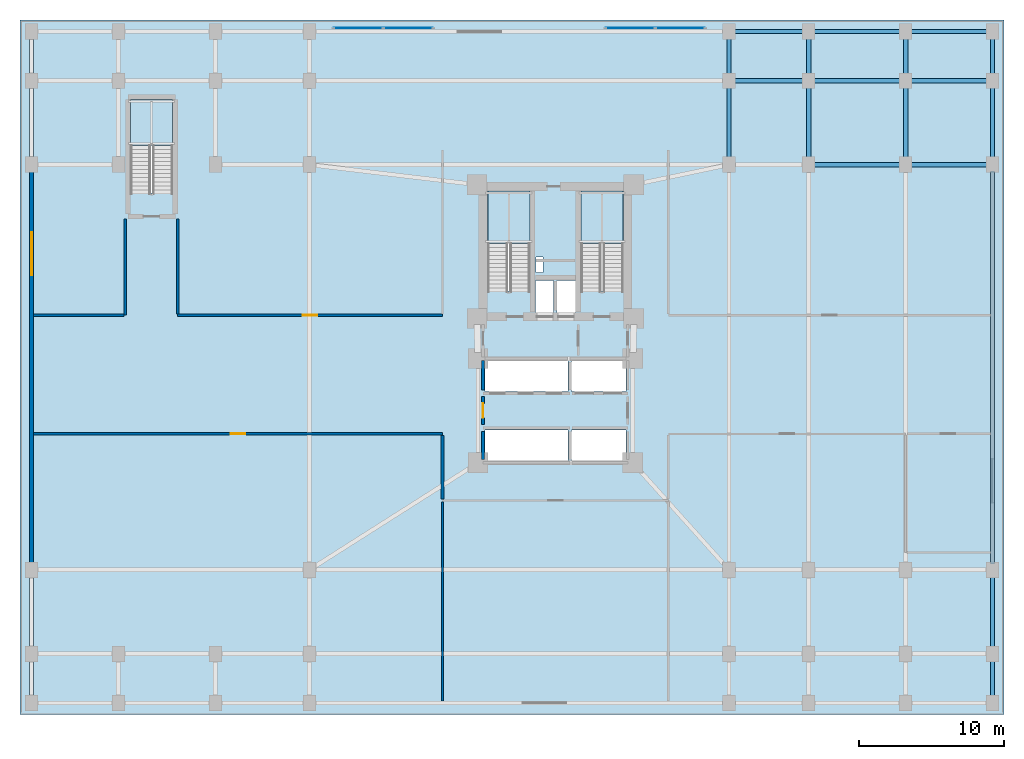
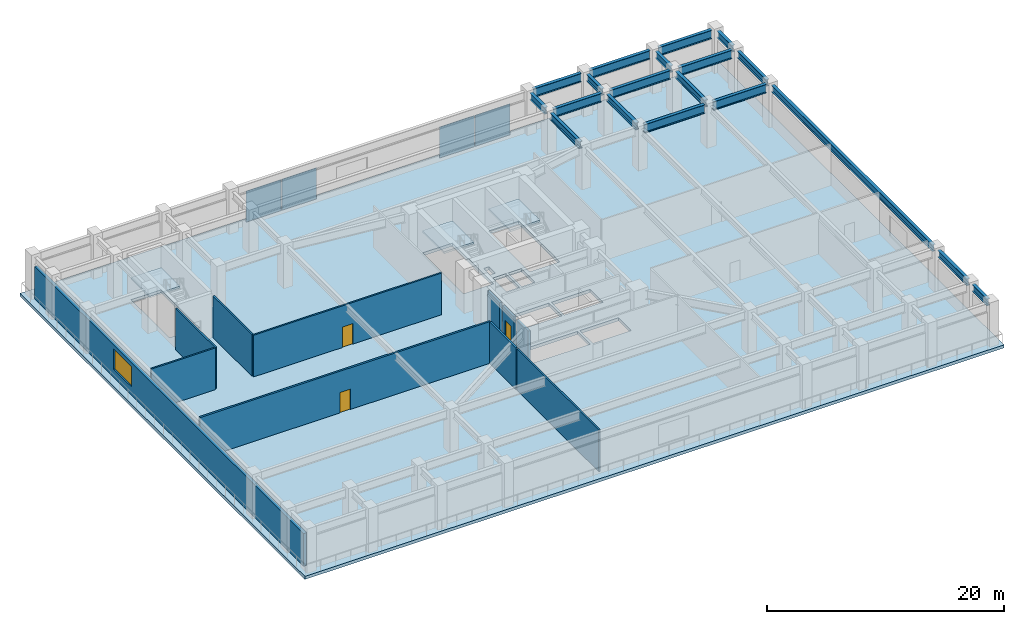
# One storey, part 6 of 12: 19 beams, 11 walls, 4 plates, 4 slabs, 3 doors, 1 window, 4 openings, 5 elements without a shape of their own.
"""IFC4 building model written with IfcOpenShell, lengths in metres."""

import ifcopenshell
import ifcopenshell.guid

model = None  # the IFC model being written
_history = None  # IfcOwnerHistory: only IFC2X3 demands one
_inside = {}  # id of a spatial element -> (the spatial element, [elements in it])
_under = {}  # id of a project, library or spatial element -> (it, [spatial elements below it])
_declared = {}  # id of a project -> (the project, [libraries it declares])
_typed = {}  # id of a type object -> (the type object, [elements of that type])
_made_of = {}  # id of a material, layer set ... -> (it, [elements and type objects made of it])


def new_model(schema):
    """Start an empty IFC model of exactly this schema.

    Asked for "IFC4X3", IfcOpenShell would pick the latest addendum, in which some entities
    have other attributes; the version numbers below select the first issue.
    IFC2X3 requires an IfcOwnerHistory on every rooted entity: one is made here for all.
    """
    global model, _history
    if schema == "IFC4X3":
        model = ifcopenshell.file(schema_version=(4, 3, 0, 0))
    else:
        model = ifcopenshell.file(schema=schema)
    _inside.clear()
    _under.clear()
    _declared.clear()
    _typed.clear()
    _made_of.clear()
    _history = None
    if model.schema == "IFC2X3":
        org = make("IfcOrganization", Name="unknown")
        user = make(
            "IfcPersonAndOrganization",
            ThePerson=make("IfcPerson", FamilyName="unknown"),
            TheOrganization=org,
        )
        app = make(
            "IfcApplication",
            ApplicationDeveloper=org,
            Version="unknown",
            ApplicationFullName="unknown",
            ApplicationIdentifier="unknown",
        )
        _history = make(
            "IfcOwnerHistory",
            OwningUser=user,
            OwningApplication=app,
            ChangeAction="ADDED",
            CreationDate=0,
        )
    return model


def make(cls, **values):
    """One entity of the class cls with the attributes given. An attribute that is None is left unset."""
    return model.create_entity(
        cls, **{name: value for name, value in values.items() if value is not None}
    )


def rooted(cls, **values):
    """An entity with a GlobalId (a new one), such as an element, a storey or a relation."""
    return make(cls, GlobalId=ifcopenshell.guid.new(), OwnerHistory=_history, **values)


def si_unit(unit_type, name, prefix=None):
    """IfcSIUnit, for example si_unit("LENGTHUNIT", "METRE", prefix="MILLI")."""
    return make("IfcSIUnit", UnitType=unit_type, Prefix=prefix, Name=name)


def assignment(units):
    """IfcUnitAssignment: the units of a project."""
    return None if units is None else make("IfcUnitAssignment", Units=units)


def point(xyz):
    """IfcCartesianPoint."""
    return None if xyz is None else make("IfcCartesianPoint", Coordinates=xyz)


def direction(xyz):
    """IfcDirection."""
    return None if xyz is None else make("IfcDirection", DirectionRatios=xyz)


def frame(location, z_axis=None, x_axis=None):
    """IfcAxis2Placement3D, a coordinate frame: its origin and axes. An axis left out is left unset."""
    return make(
        "IfcAxis2Placement3D",
        Location=point(location),
        Axis=direction(z_axis),
        RefDirection=direction(x_axis),
    )


def frame_2d(location, x_axis=None):
    """IfcAxis2Placement2D, a coordinate frame in the plane: its origin and x axis."""
    return make(
        "IfcAxis2Placement2D", Location=point(location), RefDirection=direction(x_axis)
    )


def origin():
    """The frame at (0, 0, 0) with its axes left unset."""
    return frame((0.0, 0.0, 0.0))


def origin_2d():
    """The frame at (0, 0) in the plane with its x axis left unset."""
    return frame_2d((0.0, 0.0))


def place(relative_to, where):
    """IfcLocalPlacement: puts the frame where relative to a parent placement (None: the world)."""
    return make(
        "IfcLocalPlacement", PlacementRelTo=relative_to, RelativePlacement=where
    )


def context(
    kind, dimensions, precision=None, world=None, true_north=None, identifier=None
):
    """IfcGeometricRepresentationContext, for example the 3D "Model" context."""
    return make(
        "IfcGeometricRepresentationContext",
        ContextIdentifier=identifier,
        ContextType=kind,
        CoordinateSpaceDimension=dimensions,
        Precision=precision,
        WorldCoordinateSystem=world,
        TrueNorth=true_north,
    )


def subcontext(parent, identifier, kind, view, scale=None):
    """IfcGeometricRepresentationSubContext, for example "Body" below "Model"."""
    return make(
        "IfcGeometricRepresentationSubContext",
        ContextIdentifier=identifier,
        ContextType=kind,
        ParentContext=parent,
        TargetScale=scale,
        TargetView=view,
    )


def project(units=None, contexts=None):
    """IfcProject with its units and contexts."""
    return rooted(
        "IfcProject",
        Name="project",
        RepresentationContexts=contexts,
        UnitsInContext=assignment(units),
    )


def spatial(cls, under=None, at=None, **own):
    """A site, building, storey or space (cls), placed at a placement, below another one or the project."""
    s = rooted(cls, ObjectPlacement=at, **own)
    if under is not None:
        _under.setdefault(under.id(), (under, []))[1].append(s)
    return s


def polyline(points):
    """IfcPolyline through the points."""
    return make("IfcPolyline", Points=[point(p) for p in points])


def profile(cls, at=None, kind="AREA", **sizes):
    """A parametric profile (cls). Its sizes go by their IFC names, for example OverallWidth=200.0."""
    return make(cls, ProfileType=kind, Position=at, **sizes)


def rectangle(**sizes):
    """IfcRectangleProfileDef."""
    return profile("IfcRectangleProfileDef", **sizes)


def i_section(**sizes):
    """IfcIShapeProfileDef."""
    return profile("IfcIShapeProfileDef", **sizes)


def outline(outer, holes=None, kind="AREA"):
    """IfcArbitraryClosedProfileDef: a profile drawn as a closed curve; with holes, ...WithVoids."""
    if holes is None:
        return make("IfcArbitraryClosedProfileDef", ProfileType=kind, OuterCurve=outer)
    return make(
        "IfcArbitraryProfileDefWithVoids",
        ProfileType=kind,
        OuterCurve=outer,
        InnerCurves=holes,
    )


def extrude(swept, where, along, depth):
    """IfcExtrudedAreaSolid: the profile swept, set in the frame where, extruded along a direction by depth."""
    return make(
        "IfcExtrudedAreaSolid",
        SweptArea=swept,
        Position=where,
        ExtrudedDirection=direction(along),
        Depth=depth,
    )


def shape(context_of_items, identifier, shape_type, items):
    """IfcShapeRepresentation: the items that make up one representation, for example the "Body"."""
    return make(
        "IfcShapeRepresentation",
        ContextOfItems=context_of_items,
        RepresentationIdentifier=identifier,
        RepresentationType=shape_type,
        Items=items,
    )


def source(mapping_origin, context_of_items, identifier, shape_type, items):
    """IfcRepresentationMap: a shape defined once, which mapped items show again and again."""
    return make(
        "IfcRepresentationMap",
        MappingOrigin=mapping_origin,
        MappedRepresentation=shape(context_of_items, identifier, shape_type, items),
    )


def transform(
    local_origin,
    x_axis=None,
    y_axis=None,
    z_axis=None,
    scale=None,
    scale2=None,
    scale3=None,
    uniform=True,
):
    """IfcCartesianTransformationOperator3D, or its non-uniform kind. x_axis, y_axis, z_axis: its Axis1, 2, 3."""
    if uniform:
        return make(
            "IfcCartesianTransformationOperator3D",
            Axis1=direction(x_axis),
            Axis2=direction(y_axis),
            LocalOrigin=point(local_origin),
            Scale=scale,
            Axis3=direction(z_axis),
        )
    return make(
        "IfcCartesianTransformationOperator3DnonUniform",
        Axis1=direction(x_axis),
        Axis2=direction(y_axis),
        LocalOrigin=point(local_origin),
        Scale=scale,
        Axis3=direction(z_axis),
        Scale2=scale2,
        Scale3=scale3,
    )


def mapped(mapping_source, mapping_target):
    """IfcMappedItem: shows the shape of a source again, moved by a transform."""
    return make(
        "IfcMappedItem", MappingSource=mapping_source, MappingTarget=mapping_target
    )


def material(Name=None, Category=None):
    """IfcMaterial."""
    return make("IfcMaterial", Name=Name, Category=Category)


def layer(
    of_material, thickness, ventilated=None, Name=None, Category=None, Priority=None
):
    """IfcMaterialLayer: one layer of a wall or slab, of a material (None: an air gap)."""
    return make(
        "IfcMaterialLayer",
        Material=of_material,
        LayerThickness=thickness,
        IsVentilated=ventilated,
        Name=Name,
        Category=Category,
        Priority=Priority,
    )


def layer_set(layers, Name=None):
    """IfcMaterialLayerSet."""
    return make("IfcMaterialLayerSet", MaterialLayers=layers, LayerSetName=Name)


def material_profile(
    of_material, cross_section, Name=None, Category=None, Priority=None
):
    """IfcMaterialProfile: a cross section and its material."""
    return make(
        "IfcMaterialProfile",
        Name=Name,
        Material=of_material,
        Profile=cross_section,
        Priority=Priority,
        Category=Category,
    )


def profile_set(profiles, Name=None, composite=None):
    """IfcMaterialProfileSet."""
    return make(
        "IfcMaterialProfileSet",
        Name=Name,
        MaterialProfiles=profiles,
        CompositeProfile=composite,
    )


def made_of(thing, what):
    """Note that an element or type object is made of a material, layer set ...; save() writes the relation."""
    if what is not None:
        _made_of.setdefault(what.id(), (what, []))[1].append(thing)
    return thing


def type_object(cls, material=None, **own):
    """A type object (cls), such as IfcWallType, which elements share."""
    return made_of(rooted(cls, **own), material)


def type_shapes(of_type, sources):
    """Give a type object the sources (RepresentationMaps) that its elements show as mapped items."""
    of_type.RepresentationMaps = sources


def element(
    cls,
    number,
    at=None,
    inside=None,
    cuts=None,
    type_object=None,
    material=None,
    context=None,
    identifier="Body",
    shape_type=None,
    held_by="IfcProductDefinitionShape",
    body=None,
    shapes=None,
    **own,
):
    """One element of the class cls, such as IfcWall. Its Tag is "e" and its number.

    at: its placement. inside: the storey or other place that contains it. cuts: it is an
    opening in that element (IfcRelVoidsElement). A single representation is given by context,
    identifier, shape_type and body (its items); several are given by shapes. held_by: the class
    of the entity that holds the representations. save() writes the other relations.
    """
    e = rooted(cls, Tag="e%d" % number, ObjectPlacement=at, **own)
    if body is not None:
        shapes = [shape(context, identifier, shape_type, body)]
    if shapes is not None:
        e.Representation = make(held_by, Representations=shapes)
    if inside is not None:
        _inside.setdefault(inside.id(), (inside, []))[1].append(e)
    if cuts is not None:
        rooted(
            "IfcRelVoidsElement", RelatingBuildingElement=cuts, RelatedOpeningElement=e
        )
    if type_object is not None:
        _typed.setdefault(type_object.id(), (type_object, []))[1].append(e)
    return made_of(e, material)


def fill(opening, filler):
    """IfcRelFillsElement: the door or window that sits in an opening."""
    return rooted(
        "IfcRelFillsElement",
        RelatingOpeningElement=opening,
        RelatedBuildingElement=filler,
    )


def aggregate(whole, parts):
    """IfcRelAggregates: a whole, such as a stair, and the parts it consists of."""
    return rooted("IfcRelAggregates", RelatingObject=whole, RelatedObjects=parts)


def save(model, path):
    """Write the relations noted so far, then the file.

    IfcRelAggregates (storeys below a building ...), IfcRelContainedInSpatialStructure (elements
    in a storey), IfcRelDefinesByType, IfcRelAssociatesMaterial and IfcRelDeclares: one each for
    every whole, place, type object, material and project.
    """
    for whole, parts in _under.values():
        aggregate(whole, parts)
    for where, things in _inside.values():
        rooted(
            "IfcRelContainedInSpatialStructure",
            RelatedElements=things,
            RelatingStructure=where,
        )
    for kind, things in _typed.values():
        rooted("IfcRelDefinesByType", RelatedObjects=things, RelatingType=kind)
    for what, things in _made_of.values():
        rooted("IfcRelAssociatesMaterial", RelatedObjects=things, RelatingMaterial=what)
    for by, libraries in _declared.values():
        rooted("IfcRelDeclares", RelatingContext=by, RelatedDefinitions=libraries)
    model.write(path)


model = new_model("IFC4")

# Units and contexts
model_context = context("Model", 3, precision=1e-05, world=origin(), true_north=direction((0.0, 1.0)))
body_context = subcontext(model_context, "Body", "Model", "MODEL_VIEW")
ifc_project = project(units=[si_unit("LENGTHUNIT", "METRE"), si_unit("AREAUNIT", "SQUARE_METRE"), si_unit("VOLUMEUNIT", "CUBIC_METRE"), si_unit("PLANEANGLEUNIT", "RADIAN"), si_unit("MASSUNIT", "GRAM", prefix="KILO")], contexts=[model_context])

# Site, building, storey
site_placement = place(None, origin())
site = spatial("IfcSite", under=ifc_project, at=site_placement, CompositionType="ELEMENT")
building_placement = place(site_placement, origin())
building = spatial("IfcBuilding", under=site, at=building_placement, Name="Varnakorn Sky Granary", CompositionType="ELEMENT")
storey_placement = place(building_placement, frame((0.0, 0.0, 4.60009765625)))
storey = spatial("IfcBuildingStorey", under=building, at=storey_placement, Name="L01", CompositionType="ELEMENT", Elevation=4.60009765625)

# Beams
ifc_material_1 = material(Name="Steel S355JR", Category="steel")
ifc_material_profile_1 = material_profile(ifc_material_1, i_section(OverallWidth=0.300048828125, OverallDepth=0.699951171875, WebThickness=0.01708984375, FlangeThickness=0.031982421875, at=origin_2d()), Name="HE 700 B")
ifc_profile_set_1 = profile_set([ifc_material_profile_1], Name="Steel S355JR")
beam_type_1 = type_object("IfcBeamType", Name="BM-PG-700", PredefinedType="T_BEAM", material=ifc_profile_set_1)
beam_1_placement = place(storey_placement, frame((15.0, 14.419921875, 3.929931640625), z_axis=(0.0, 1.0, 0.0), x_axis=(-1.0, 0.0, 0.0)))
element("IfcBeam", 1, at=beam_1_placement, inside=storey, type_object=beam_type_1, Name="Podium Y-Girder GY59 L01", PredefinedType="T_BEAM", context=body_context, shape_type="SweptSolid", body=[
    extrude(i_section(OverallWidth=0.300048828125, OverallDepth=0.699951171875, WebThickness=0.01708984375, FlangeThickness=0.031982421875, at=origin_2d()), origin(), (0.0, 0.0, 1.0), 4.9599609375),
])
beam_2_placement = place(storey_placement, frame((15.0, 20.219970703125, 3.929931640625), z_axis=(0.0, 1.0, 0.0), x_axis=(-1.0, 0.0, 0.0)))
element("IfcBeam", 2, at=beam_2_placement, inside=storey, type_object=beam_type_1, Name="Podium Y-Girder GY60 L01", PredefinedType="T_BEAM", context=body_context, shape_type="SweptSolid", body=[
    extrude(i_section(OverallWidth=0.300048828125, OverallDepth=0.699951171875, WebThickness=0.01708984375, FlangeThickness=0.031982421875, at=origin_2d()), origin(), (0.0, 0.0, 1.0), 2.56005859375),
])
beam_3_placement = place(storey_placement, frame((20.5, 14.419921875, 3.929931640625), z_axis=(0.0, 1.0, 0.0), x_axis=(-1.0, 0.0, 0.0)))
element("IfcBeam", 3, at=beam_3_placement, inside=storey, type_object=beam_type_1, Name="Podium Y-Girder GY64 L01", PredefinedType="T_BEAM", context=body_context, shape_type="SweptSolid", body=[
    extrude(i_section(OverallWidth=0.300048828125, OverallDepth=0.699951171875, WebThickness=0.01708984375, FlangeThickness=0.031982421875, at=origin_2d()), origin(), (0.0, 0.0, 1.0), 4.9599609375),
])
beam_4_placement = place(storey_placement, frame((20.5, 20.219970703125, 3.929931640625), z_axis=(0.0, 1.0, 0.0), x_axis=(-1.0, 0.0, 0.0)))
element("IfcBeam", 4, at=beam_4_placement, inside=storey, type_object=beam_type_1, Name="Podium Y-Girder GY65 L01", PredefinedType="T_BEAM", context=body_context, shape_type="SweptSolid", body=[
    extrude(i_section(OverallWidth=0.300048828125, OverallDepth=0.699951171875, WebThickness=0.01708984375, FlangeThickness=0.031982421875, at=origin_2d()), origin(), (0.0, 0.0, 1.0), 2.56005859375),
])
beam_5_placement = place(storey_placement, frame((27.199951171875, 14.419921875, 3.929931640625), z_axis=(0.0, 1.0, 0.0), x_axis=(-1.0, 0.0, 0.0)))
element("IfcBeam", 5, at=beam_5_placement, inside=storey, type_object=beam_type_1, Name="Podium Y-Girder GY69 L01", PredefinedType="T_BEAM", context=body_context, shape_type="SweptSolid", body=[
    extrude(i_section(OverallWidth=0.300048828125, OverallDepth=0.699951171875, WebThickness=0.01708984375, FlangeThickness=0.031982421875, at=origin_2d()), origin(), (0.0, 0.0, 1.0), 4.9599609375),
])
for number, where, z_axis, x_axis, name in (
    (6, (27.199951171875, 20.219970703125, 3.929931640625), (0.0, 1.0, 0.0), (-1.0, 0.0, 0.0), "Podium Y-Girder GY70 L01"),
    (7, (33.199951171875, -22.780029296875, 3.929931640625), (0.0, 1.0, 0.0), (-1.0, 0.0, 0.0), "Podium Y-Girder GY71 L01"),
):
    element("IfcBeam", number, at=place(storey_placement, frame(where, z_axis=z_axis, x_axis=x_axis)), inside=storey, type_object=beam_type_1, Name=name, PredefinedType="T_BEAM", context=body_context, shape_type="SweptSolid", body=[
        extrude(i_section(OverallWidth=0.300048828125, OverallDepth=0.699951171875, WebThickness=0.01708984375, FlangeThickness=0.031982421875, at=origin_2d()), origin(), (0.0, 0.0, 1.0), 2.56005859375),
    ])
beam_6_placement = place(storey_placement, frame((33.199951171875, -19.3798828125, 3.929931640625), z_axis=(0.0, 1.0, 0.0), x_axis=(-1.0, 0.0, 0.0)))
element("IfcBeam", 8, at=beam_6_placement, inside=storey, type_object=beam_type_1, Name="Podium Y-Girder GY72 L01", PredefinedType="T_BEAM", context=body_context, shape_type="SweptSolid", body=[
    extrude(i_section(OverallWidth=0.300048828125, OverallDepth=0.699951171875, WebThickness=0.01708984375, FlangeThickness=0.031982421875, at=origin_2d()), origin(), (0.0, 0.0, 1.0), 4.9599609375),
])
beam_7_placement = place(storey_placement, frame((33.199951171875, -13.580078125, 3.929931640625), z_axis=(0.0, 1.0, 0.0), x_axis=(-1.0, 0.0, 0.0)))
element("IfcBeam", 9, at=beam_7_placement, inside=storey, type_object=beam_type_1, Name="Podium Y-Girder GY73 L01", PredefinedType="T_BEAM", context=body_context, shape_type="SweptSolid", body=[
    extrude(i_section(OverallWidth=0.300048828125, OverallDepth=0.699951171875, WebThickness=0.01708984375, FlangeThickness=0.031982421875, at=origin_2d()), origin(), (0.0, 0.0, 1.0), 27.16015625),
])
beam_8_placement = place(storey_placement, frame((33.199951171875, 14.419921875, 3.929931640625), z_axis=(0.0, 1.0, 0.0), x_axis=(-1.0, 0.0, 0.0)))
element("IfcBeam", 10, at=beam_8_placement, inside=storey, type_object=beam_type_1, Name="Podium Y-Girder GY74 L01", PredefinedType="T_BEAM", context=body_context, shape_type="SweptSolid", body=[
    extrude(i_section(OverallWidth=0.300048828125, OverallDepth=0.699951171875, WebThickness=0.01708984375, FlangeThickness=0.031982421875, at=origin_2d()), origin(), (0.0, 0.0, 1.0), 4.9599609375),
])
beam_9_placement = place(storey_placement, frame((33.199951171875, 20.219970703125, 3.929931640625), z_axis=(0.0, 1.0, 0.0), x_axis=(-1.0, 0.0, 0.0)))
element("IfcBeam", 11, at=beam_9_placement, inside=storey, type_object=beam_type_1, Name="Podium Y-Girder GY75 L01", PredefinedType="T_BEAM", context=body_context, shape_type="SweptSolid", body=[
    extrude(i_section(OverallWidth=0.300048828125, OverallDepth=0.699951171875, WebThickness=0.01708984375, FlangeThickness=0.031982421875, at=origin_2d()), origin(), (0.0, 0.0, 1.0), 2.56005859375),
])
ifc_material_profile_2 = material_profile(ifc_material_1, i_section(OverallWidth=0.300048828125, OverallDepth=0.89990234375, WebThickness=0.0185546875, FlangeThickness=0.034912109375, at=origin_2d()), Name="HE 900 B")
ifc_profile_set_2 = profile_set([ifc_material_profile_2], Name="Steel S355JR")
beam_type_2 = type_object("IfcBeamType", Name="BM-PG-900", PredefinedType="BEAM", material=ifc_profile_set_2)
beam_10_placement = place(storey_placement, frame((20.919921875, 14.0, 3.829833984375), z_axis=(1.0, 0.0, 0.0), x_axis=(0.0, 1.0, 0.0)))
element("IfcBeam", 12, at=beam_10_placement, inside=storey, type_object=beam_type_2, Name="Podium X-Girder GX24 L01", PredefinedType="BEAM", context=body_context, shape_type="SweptSolid", body=[
    extrude(i_section(OverallWidth=0.300048828125, OverallDepth=0.89990234375, WebThickness=0.0185546875, FlangeThickness=0.034912109375, at=origin_2d()), origin(), (0.0, 0.0, 1.0), 5.860107421875),
])
beam_11_placement = place(storey_placement, frame((27.6201171875, 14.0, 3.829833984375), z_axis=(1.0, 0.0, 0.0), x_axis=(0.0, 1.0, 0.0)))
element("IfcBeam", 13, at=beam_11_placement, inside=storey, type_object=beam_type_2, Name="Podium X-Girder GX25 L01", PredefinedType="BEAM", context=body_context, shape_type="SweptSolid", body=[
    extrude(i_section(OverallWidth=0.300048828125, OverallDepth=0.89990234375, WebThickness=0.0185546875, FlangeThickness=0.034912109375, at=origin_2d()), origin(), (0.0, 0.0, 1.0), 5.159912109375),
])
beam_12_placement = place(storey_placement, frame((15.419921875, 19.800048828125, 3.829833984375), z_axis=(1.0, 0.0, 0.0), x_axis=(0.0, 1.0, 0.0)))
element("IfcBeam", 14, at=beam_12_placement, inside=storey, type_object=beam_type_2, Name="Podium X-Girder GX30 L01", PredefinedType="BEAM", context=body_context, shape_type="SweptSolid", body=[
    extrude(i_section(OverallWidth=0.300048828125, OverallDepth=0.89990234375, WebThickness=0.0185546875, FlangeThickness=0.034912109375, at=origin_2d()), origin(), (0.0, 0.0, 1.0), 4.66015625),
])
beam_13_placement = place(storey_placement, frame((20.919921875, 19.800048828125, 3.829833984375), z_axis=(1.0, 0.0, 0.0), x_axis=(0.0, 1.0, 0.0)))
element("IfcBeam", 15, at=beam_13_placement, inside=storey, type_object=beam_type_2, Name="Podium X-Girder GX31 L01", PredefinedType="BEAM", context=body_context, shape_type="SweptSolid", body=[
    extrude(i_section(OverallWidth=0.300048828125, OverallDepth=0.89990234375, WebThickness=0.0185546875, FlangeThickness=0.034912109375, at=origin_2d()), origin(), (0.0, 0.0, 1.0), 5.860107421875),
])
beam_14_placement = place(storey_placement, frame((27.6201171875, 19.800048828125, 3.829833984375), z_axis=(1.0, 0.0, 0.0), x_axis=(0.0, 1.0, 0.0)))
element("IfcBeam", 16, at=beam_14_placement, inside=storey, type_object=beam_type_2, Name="Podium X-Girder GX32 L01", PredefinedType="BEAM", context=body_context, shape_type="SweptSolid", body=[
    extrude(i_section(OverallWidth=0.300048828125, OverallDepth=0.89990234375, WebThickness=0.0185546875, FlangeThickness=0.034912109375, at=origin_2d()), origin(), (0.0, 0.0, 1.0), 5.159912109375),
])
beam_15_placement = place(storey_placement, frame((15.419921875, 23.199951171875, 3.829833984375), z_axis=(1.0, 0.0, 0.0), x_axis=(0.0, 1.0, 0.0)))
element("IfcBeam", 17, at=beam_15_placement, inside=storey, type_object=beam_type_2, Name="Podium X-Girder GX37 L01", PredefinedType="BEAM", context=body_context, shape_type="SweptSolid", body=[
    extrude(i_section(OverallWidth=0.300048828125, OverallDepth=0.89990234375, WebThickness=0.0185546875, FlangeThickness=0.034912109375, at=origin_2d()), origin(), (0.0, 0.0, 1.0), 4.66015625),
])
beam_16_placement = place(storey_placement, frame((20.919921875, 23.199951171875, 3.829833984375), z_axis=(1.0, 0.0, 0.0), x_axis=(0.0, 1.0, 0.0)))
element("IfcBeam", 18, at=beam_16_placement, inside=storey, type_object=beam_type_2, Name="Podium X-Girder GX38 L01", PredefinedType="BEAM", context=body_context, shape_type="SweptSolid", body=[
    extrude(i_section(OverallWidth=0.300048828125, OverallDepth=0.89990234375, WebThickness=0.0185546875, FlangeThickness=0.034912109375, at=origin_2d()), origin(), (0.0, 0.0, 1.0), 5.860107421875),
])
beam_17_placement = place(storey_placement, frame((27.6201171875, 23.199951171875, 3.829833984375), z_axis=(1.0, 0.0, 0.0), x_axis=(0.0, 1.0, 0.0)))
element("IfcBeam", 19, at=beam_17_placement, inside=storey, type_object=beam_type_2, Name="Podium X-Girder GX39 L01", PredefinedType="BEAM", context=body_context, shape_type="SweptSolid", body=[
    extrude(i_section(OverallWidth=0.300048828125, OverallDepth=0.89990234375, WebThickness=0.0185546875, FlangeThickness=0.034912109375, at=origin_2d()), origin(), (0.0, 0.0, 1.0), 5.159912109375),
])

# Stair, slab
ifc_material_2 = material(Name="Concrete C40/50", Category="concrete")
stair_type = type_object("IfcStairType", Name="ST-MAIN-ASSEMBLY", PredefinedType="HALF_TURN_STAIR", material=ifc_material_2)
stair_1_placement = place(storey_placement, origin())
stair_1 = element("IfcStair", 20, at=stair_1_placement, inside=storey, type_object=stair_type, Name="L01 Protected Exit Stair ST-1", PredefinedType="HALF_TURN_STAIR")
ifc_layer_1 = layer(ifc_material_2, 0.199951171875, Name="Concrete C40/50")
ifc_layer_set_1 = layer_set([ifc_layer_1], Name="Concrete C40/50")
slab_type_1 = type_object("IfcSlabType", Name="ST-MAIN-LAND", PredefinedType="LANDING", material=ifc_layer_set_1)
slab_1_placement = place(storey_placement, frame((0.0, 0.0, 2.099853515625)))
slab_1 = element("IfcSlab", 21, at=slab_1_placement, type_object=slab_type_1, Name="ST-1 landing 1", PredefinedType="LANDING", context=body_context, shape_type="SweptSolid", body=[
    extrude(outline(polyline([(1.239990234375, 8.56005859375), (1.239990234375, 12.179931640625), (-1.669921875, 12.179931640625), (-1.669921875, 8.56005859375), (1.239990234375, 8.56005859375)])), origin(), (0.0, 0.0, 1.0), 0.199951171875),
])
aggregate(stair_1, [slab_1])

stair_2_placement = place(storey_placement, origin())
stair_2 = element("IfcStair", 22, at=stair_2_placement, inside=storey, type_object=stair_type, Name="L01 Protected Exit Stair ST-2", PredefinedType="HALF_TURN_STAIR")
slab_2_placement = place(storey_placement, frame((0.0, 0.0, 2.099853515625)))
slab_2 = element("IfcSlab", 23, at=slab_2_placement, type_object=slab_type_1, Name="ST-2 landing 1", PredefinedType="LANDING", context=body_context, shape_type="SweptSolid", body=[
    extrude(outline(polyline([(7.679931640625, 8.56005859375), (7.679931640625, 12.179931640625), (4.77001953125, 12.179931640625), (4.77001953125, 8.56005859375), (7.679931640625, 8.56005859375)])), origin(), (0.0, 0.0, 1.0), 0.199951171875),
])
aggregate(stair_2, [slab_2])

stair_3_placement = place(storey_placement, origin())
stair_3 = element("IfcStair", 24, at=stair_3_placement, inside=storey, type_object=stair_type, Name="L01 Podium and Basement Protected Exit Stair ST-B3", PredefinedType="HALF_TURN_STAIR")
slab_3_placement = place(storey_placement, frame((0.0, 0.0, 2.099853515625)))
slab_3 = element("IfcSlab", 25, at=slab_3_placement, type_object=slab_type_1, Name="ST-B3 landing 1", PredefinedType="LANDING", context=body_context, shape_type="SweptSolid", body=[
    extrude(outline(polyline([(-23.449951171875, 15.340087890625), (-23.449951171875, 18.5), (-26.360107421875, 18.5), (-26.360107421875, 15.340087890625), (-23.449951171875, 15.340087890625)])), origin(), (0.0, 0.0, 1.0), 0.199951171875),
])
aggregate(stair_3, [slab_3])

# Slab
ifc_material_3 = material(Name="Concrete C50/60", Category="concrete")
ifc_layer_2 = layer(ifc_material_3, 0.320068359375, Name="Concrete C50/60")
ifc_layer_set_2 = layer_set([ifc_layer_2], Name="Concrete C50/60")
slab_type_2 = type_object("IfcSlabType", Name="ST-SL-POD-320", PredefinedType="FLOOR", material=ifc_layer_set_2)
slab_4_placement = place(storey_placement, frame((0.0, 0.0, -0.320068359375)))
element("IfcSlab", 26, at=slab_4_placement, inside=storey, type_object=slab_type_2, Name="Level L01 Structural Floor Slab", PredefinedType="FLOOR", context=body_context, shape_type="SweptSolid", body=[
    extrude(outline(polyline([(-34.0, -24.0), (34.0, -24.0), (34.0, 24.0), (-34.0, 24.0), (-34.0, -24.0)]), holes=[polyline([(1.239990234375, 5.27490234375), (1.239990234375, 12.179931640625), (-1.669921875, 12.179931640625), (-1.669921875, 5.27490234375), (1.239990234375, 5.27490234375)]), polyline([(7.679931640625, 5.27490234375), (7.679931640625, 12.179931640625), (4.77001953125, 12.179931640625), (4.77001953125, 5.27490234375), (7.679931640625, 5.27490234375)]), polyline([(-23.449951171875, 12.054931640625), (-23.449951171875, 18.5), (-26.360107421875, 18.5), (-26.360107421875, 12.054931640625), (-23.449951171875, 12.054931640625)]), polyline([(1.659912109375, 6.550048828125), (2.14990234375, 6.550048828125), (2.14990234375, 7.6201171875), (1.659912109375, 7.6201171875), (1.659912109375, 6.550048828125)]), polyline([(1.6201171875, 3.739990234375), (2.8798828125, 3.739990234375), (2.8798828125, 6.010009765625), (1.6201171875, 6.010009765625), (1.6201171875, 3.739990234375)]), polyline([(3.1201171875, 3.739990234375), (4.3798828125, 3.739990234375), (4.3798828125, 6.010009765625), (3.1201171875, 6.010009765625), (3.1201171875, 3.739990234375)]), polyline([(-1.8798828125, -1.679931640625), (3.8798828125, -1.679931640625), (3.8798828125, 0.47998046875), (-1.8798828125, 0.47998046875), (-1.8798828125, -1.679931640625)]), polyline([(4.1201171875, -1.679931640625), (7.8798828125, -1.679931640625), (7.8798828125, 0.47998046875), (4.1201171875, 0.47998046875), (4.1201171875, -1.679931640625)]), polyline([(-1.8798828125, -6.47998046875), (3.8798828125, -6.47998046875), (3.8798828125, -4.320068359375), (-1.8798828125, -4.320068359375), (-1.8798828125, -6.47998046875)]), polyline([(4.1201171875, -6.47998046875), (7.8798828125, -6.47998046875), (7.8798828125, -4.320068359375), (4.1201171875, -4.320068359375), (4.1201171875, -6.47998046875)])]), origin(), (0.0, 0.0, 1.0), 0.320068359375),
])

# Curtain wall, plates
ifc_material_4 = material(Name="Anodised Bronze Aluminium Alloy 6063-T6", Category="aluminium")
ifc_layer_3 = layer(ifc_material_4, 0.219970703125, Name="Anodised Bronze Aluminium Alloy 6063-T6")
ifc_layer_set_3 = layer_set([ifc_layer_3], Name="Anodised Bronze Aluminium Alloy 6063-T6")
curtain_wall_type = type_object("IfcCurtainWallType", Name="CW-POD-1", PredefinedType="USERDEFINED", material=ifc_layer_set_3)
curtain_wall_1_placement = place(storey_placement, origin())
curtain_wall_1 = element("IfcCurtainWall", 27, at=curtain_wall_1_placement, inside=storey, type_object=curtain_wall_type, Name="Unitised Curtain Wall CW1 CW-L01-P1", ObjectType="CURTAIN WALL", PredefinedType="USERDEFINED")
ifc_material_5 = material(Name="Low-E Tinted Laminated Glass", Category="glass")
ifc_layer_4 = layer(ifc_material_5, 0.031982421875, Name="Low-E Tinted Laminated Glass")
ifc_layer_set_4 = layer_set([ifc_layer_4], Name="Low-E Tinted Laminated Glass")
plate_type = type_object("IfcPlateType", Name="CW-POD-1-PNL", PredefinedType="CURTAIN_PANEL")
shared_shape = source(origin(), body_context, "Body", "SweptSolid", [
    extrude(rectangle(XDim=3.387451171875, YDim=0.031982421875, at=origin_2d()), origin(), (0.0, 0.0, 1.0), 3.199951171875),
])
type_shapes(plate_type, [shared_shape])
plate_1_placement = place(storey_placement, frame((-10.63134765625, 23.449951171875, 0.07470703125), z_axis=(0.0, 0.0, 1.0), x_axis=(1.0, 0.0, 0.0)))
plate_1 = element("IfcPlate", 28, at=plate_1_placement, type_object=plate_type, material=ifc_layer_set_4, Name="CW1 vision glazing unit 1.1", PredefinedType="CURTAIN_PANEL", context=body_context, shape_type="MappedRepresentation", body=[
    mapped(shared_shape, transform((0.0, 0.0, 0.0), x_axis=(1.0, 0.0, 0.0), y_axis=(0.0, 1.0, 0.0), z_axis=(0.0, 0.0, 1.0), scale=1.0)),
])
plate_2_placement = place(storey_placement, frame((-7.168701171875, 23.449951171875, 0.07470703125), z_axis=(0.0, 0.0, 1.0), x_axis=(1.0, 0.0, 0.0)))
plate_2 = element("IfcPlate", 29, at=plate_2_placement, type_object=plate_type, material=ifc_layer_set_4, Name="CW1 vision glazing unit 2.1", PredefinedType="CURTAIN_PANEL", context=body_context, shape_type="MappedRepresentation", body=[
    mapped(shared_shape, transform((0.0, 0.0, 0.0), x_axis=(1.0, 0.0, 0.0), y_axis=(0.0, 1.0, 0.0), z_axis=(0.0, 0.0, 1.0), scale=1.0)),
])
aggregate(curtain_wall_1, [plate_1, plate_2])

curtain_wall_2_placement = place(storey_placement, origin())
curtain_wall_2 = element("IfcCurtainWall", 30, at=curtain_wall_2_placement, inside=storey, type_object=curtain_wall_type, Name="Unitised Curtain Wall CW1 CW-L01-P2", ObjectType="CURTAIN WALL", PredefinedType="USERDEFINED")
plate_3_placement = place(storey_placement, frame((8.168701171875, 23.449951171875, 0.07470703125), z_axis=(0.0, 0.0, 1.0), x_axis=(1.0, 0.0, 0.0)))
plate_3 = element("IfcPlate", 31, at=plate_3_placement, type_object=plate_type, material=ifc_layer_set_4, Name="CW1 vision glazing unit 1.1", PredefinedType="CURTAIN_PANEL", context=body_context, shape_type="MappedRepresentation", body=[
    mapped(shared_shape, transform((0.0, 0.0, 0.0), x_axis=(1.0, 0.0, 0.0), y_axis=(0.0, 1.0, 0.0), z_axis=(0.0, 0.0, 1.0), scale=1.0)),
])
plate_4_placement = place(storey_placement, frame((11.63134765625, 23.449951171875, 0.07470703125), z_axis=(0.0, 0.0, 1.0), x_axis=(1.0, 0.0, 0.0)))
plate_4 = element("IfcPlate", 32, at=plate_4_placement, type_object=plate_type, material=ifc_layer_set_4, Name="CW1 vision glazing unit 2.1", PredefinedType="CURTAIN_PANEL", context=body_context, shape_type="MappedRepresentation", body=[
    mapped(shared_shape, transform((0.0, 0.0, 0.0), x_axis=(1.0, 0.0, 0.0), y_axis=(0.0, 1.0, 0.0), z_axis=(0.0, 0.0, 1.0), scale=1.0)),
])
aggregate(curtain_wall_2, [plate_3, plate_4])

# Wall, opening, window
ifc_material_6 = material(Name="Precast concrete C40/50", Category="concrete")
ifc_layer_5 = layer(ifc_material_6, 0.300048828125, Name="Precast concrete C40/50")
ifc_layer_set_5 = layer_set([ifc_layer_5], Name="Precast concrete C40/50")
wall_type_1 = type_object("IfcWallType", Name="WT-EW-POD-300", PredefinedType="SOLIDWALL", material=ifc_layer_set_5)
wall_1_placement = place(storey_placement, frame((-33.199951171875, -22.655029296875, 0.0), z_axis=(0.0, 0.0, 1.0), x_axis=(0.0, 1.0, 0.0)))
wall_1 = element("IfcWall", 33, at=wall_1_placement, inside=storey, type_object=wall_type_1, Name="Podium Exterior Facade Wall L01-W", PredefinedType="SOLIDWALL", context=body_context, shape_type="SweptSolid", body=[
    extrude(rectangle(XDim=45.31005859375, YDim=0.300048828125, at=frame_2d((22.655029296875, 0.0))), origin(), (0.0, 0.0, 1.0), 3.349853515625),
])
opening_1_placement = place(wall_1_placement, frame((29.0, 0.0, 0.85009765625)))
opening_1 = element("IfcOpeningElement", 34, at=opening_1_placement, cuts=wall_1, Name="Opening WN-03", PredefinedType="OPENING", context=body_context, shape_type="SweptSolid", body=[
    extrude(rectangle(XDim=3.0, YDim=2.10009765625, at=frame_2d((1.5, 1.050048828125))), frame((0.0, 0.16015625, 0.0), z_axis=(0.0, -1.0, 0.0), x_axis=(1.0, 0.0, 0.0)), (0.0, 0.0, 1.0), 0.320068359375),
])
window_type = type_object("IfcWindowType", Name="WN-MKT-3000", PartitioningType="SINGLE_PANEL", PredefinedType="WINDOW", material=ifc_material_5)
window_placement = place(opening_1_placement, origin())
window = element("IfcWindow", 35, at=window_placement, inside=storey, type_object=window_type, Name="Podium Facade Window L01-W", OverallHeight=2.10009765625, OverallWidth=3.0, PartitioningType="SINGLE_PANEL", PredefinedType="WINDOW", context=body_context, shape_type="SweptSolid", body=[
    extrude(rectangle(XDim=3.0, YDim=2.10009765625, at=frame_2d((1.5, 1.050048828125))), frame((0.0, 0.030029296875, 0.0), z_axis=(0.0, -1.0, 0.0), x_axis=(1.0, 0.0, 0.0)), (0.0, 0.0, 1.0), 0.06005859375),
])
fill(opening_1, window)

# Wall, opening, door
ifc_material_7 = material(Name="Autoclaved Aerated Concrete Blockwork", Category="masonry")
ifc_layer_6 = layer(ifc_material_7, 0.199951171875, Name="Autoclaved Aerated Concrete Blockwork")
ifc_layer_set_6 = layer_set([ifc_layer_6], Name="Autoclaved Aerated Concrete Blockwork")
wall_type_2 = type_object("IfcWallType", Name="WT-FIRE-200", PredefinedType="MOVABLE", material=ifc_layer_set_6)
wall_2_placement = place(storey_placement, frame((-2.0, -3.969970703125, 0.0), z_axis=(0.0, 0.0, 1.0), x_axis=(0.0, 1.0, 0.0)))
wall_2 = element("IfcWall", 36, at=wall_2_placement, inside=storey, type_object=wall_type_2, Name="Interior Partition Wall L01-019", PredefinedType="MOVABLE", context=body_context, shape_type="SweptSolid", body=[
    extrude(rectangle(XDim=1.93994140625, YDim=0.199951171875, at=frame_2d((0.969970703125, 0.0))), origin(), (0.0, 0.0, 1.0), 3.36181640625),
])
opening_2_placement = place(wall_2_placement, frame((0.469970703125, 0.0, 0.0)))
opening_2 = element("IfcOpeningElement", 37, at=opening_2_placement, cuts=wall_2, Name="Opening FD-60", PredefinedType="OPENING", context=body_context, shape_type="SweptSolid", body=[
    extrude(rectangle(XDim=1.0, YDim=2.10009765625, at=frame_2d((0.5, 1.050048828125))), frame((0.0, 0.10986328125, 0.0), z_axis=(0.0, -1.0, 0.0), x_axis=(1.0, 0.0, 0.0)), (0.0, 0.0, 1.0), 0.219970703125),
])
ifc_material_8 = material(Name="Acoustic Timber Fire Leaf", Category="wood")
door_type_1 = type_object("IfcDoorType", Name="DR-FD60-1000", OperationType="NOTDEFINED", PredefinedType="DOOR", material=ifc_material_8)
door_1_placement = place(opening_2_placement, origin())
door_1 = element("IfcDoor", 38, at=door_1_placement, inside=storey, type_object=door_type_1, Name="Interior Door L01-019-1", OperationType="SINGLE_SWING_LEFT", OverallHeight=2.10009765625, OverallWidth=1.0, PredefinedType="DOOR", context=body_context, shape_type="SweptSolid", body=[
    extrude(rectangle(XDim=1.0, YDim=2.10009765625, at=frame_2d((0.5, 1.050048828125))), frame((0.0, 0.02490234375, 0.0), z_axis=(0.0, -1.0, 0.0), x_axis=(1.0, 0.0, 0.0)), (0.0, 0.0, 1.0), 0.050048828125),
])
fill(opening_2, door_1)

ifc_material_9 = material(Name="Gypsum Plasterboard on Steel Stud", Category="steel")
ifc_layer_7 = layer(ifc_material_9, 0.14990234375, Name="Gypsum Plasterboard on Steel Stud")
ifc_layer_set_7 = layer_set([ifc_layer_7], Name="Gypsum Plasterboard on Steel Stud")
wall_type_3 = type_object("IfcWallType", Name="WT-PART-150", PredefinedType="PARTITIONING", material=ifc_layer_set_7)
wall_3_placement = place(storey_placement, frame((-4.800048828125, 3.60009765625, 0.0), z_axis=(0.0, 0.0, 1.0), x_axis=(-1.0, 0.0, 0.0)))
wall_3 = element("IfcWall", 39, at=wall_3_placement, inside=storey, type_object=wall_type_3, Name="Interior Partition Wall L01-021", PredefinedType="PARTITIONING", context=body_context, shape_type="SweptSolid", body=[
    extrude(rectangle(XDim=18.300048828125, YDim=0.14990234375, at=frame_2d((9.14990234375, 0.0))), origin(), (0.0, 0.0, 1.0), 4.27978515625),
])
opening_3_placement = place(wall_3_placement, frame((8.64990234375, 0.0, 0.0)))
opening_3 = element("IfcOpeningElement", 40, at=opening_3_placement, cuts=wall_3, Name="Opening ID-100", PredefinedType="OPENING", context=body_context, shape_type="SweptSolid", body=[
    extrude(rectangle(XDim=1.0, YDim=2.10009765625, at=frame_2d((0.5, 1.050048828125))), frame((0.0, 0.0849609375, 0.0), z_axis=(0.0, -1.0, 0.0), x_axis=(1.0, 0.0, 0.0)), (0.0, 0.0, 1.0), 0.169921875),
])
ifc_material_10 = material(Name="Solid-Core Teak Veneer Leaf", Category="timber")
door_type_2 = type_object("IfcDoorType", Name="DR-INT-1000", OperationType="NOTDEFINED", PredefinedType="DOOR", material=ifc_material_10)
door_2_placement = place(opening_3_placement, origin())
door_2 = element("IfcDoor", 41, at=door_2_placement, inside=storey, type_object=door_type_2, Name="Interior Door L01-021-1", OperationType="SINGLE_SWING_LEFT", OverallHeight=2.10009765625, OverallWidth=1.0, PredefinedType="DOOR", context=body_context, shape_type="SweptSolid", body=[
    extrude(rectangle(XDim=1.0, YDim=2.10009765625, at=frame_2d((0.5, 1.050048828125))), frame((0.0, 0.02490234375, 0.0), z_axis=(0.0, -1.0, 0.0), x_axis=(1.0, 0.0, 0.0)), (0.0, 0.0, 1.0), 0.050048828125),
])
fill(opening_3, door_2)

# Walls
wall_4_placement = place(storey_placement, frame((-23.10009765625, 3.68505859375, 0.0), z_axis=(0.0, 0.0, 1.0), x_axis=(0.0, 1.0, 0.0)))
element("IfcWall", 42, at=wall_4_placement, inside=storey, type_object=wall_type_3, Name="Interior Partition Wall L01-029", PredefinedType="PARTITIONING", context=body_context, shape_type="SweptSolid", body=[
    extrude(rectangle(XDim=6.56494140625, YDim=0.14990234375, at=frame_2d((3.282470703125, 0.0))), origin(), (0.0, 0.0, 1.0), 4.27978515625),
])
wall_5_placement = place(storey_placement, frame((-26.72998046875, 10.25, 0.0), z_axis=(0.0, 0.0, 1.0), x_axis=(0.0, -1.0, 0.0)))
element("IfcWall", 43, at=wall_5_placement, inside=storey, type_object=wall_type_3, Name="Interior Partition Wall L01-030", PredefinedType="PARTITIONING", context=body_context, shape_type="SweptSolid", body=[
    extrude(rectangle(XDim=6.64990234375, YDim=0.14990234375, at=frame_2d((3.324951171875, 0.0))), origin(), (0.0, 0.0, 1.0), 4.27978515625),
])
wall_6_placement = place(storey_placement, frame((-26.81494140625, 3.60009765625, 0.0), z_axis=(0.0, 0.0, 1.0), x_axis=(-1.0, 0.0, 0.0)))
element("IfcWall", 44, at=wall_6_placement, inside=storey, type_object=wall_type_3, Name="Interior Partition Wall L01-031", PredefinedType="PARTITIONING", context=body_context, shape_type="SweptSolid", body=[
    extrude(rectangle(XDim=6.235107421875, YDim=0.14990234375, at=frame_2d((3.11767578125, 0.0))), origin(), (0.0, 0.0, 1.0), 4.27978515625),
])
wall_7_placement = place(storey_placement, frame((-4.800048828125, -9.300048828125, 0.0), z_axis=(0.0, 0.0, 1.0), x_axis=(0.0, -1.0, 0.0)))
element("IfcWall", 45, at=wall_7_placement, inside=storey, type_object=wall_type_3, Name="Interior Partition Wall L01-035", PredefinedType="PARTITIONING", context=body_context, shape_type="SweptSolid", body=[
    extrude(rectangle(XDim=13.75, YDim=0.14990234375, at=frame_2d((6.875, 0.0))), origin(), (0.0, 0.0, 1.0), 4.27978515625),
])

# Wall, opening, door
ifc_material_11 = material(Name="Moisture-Resistant Gypsum on Stud", Category="gypsum")
ifc_layer_8 = layer(ifc_material_11, 0.179931640625, Name="Moisture-Resistant Gypsum on Stud")
ifc_layer_set_8 = layer_set([ifc_layer_8], Name="Moisture-Resistant Gypsum on Stud")
wall_type_4 = type_object("IfcWallType", Name="WT-PLUMB-180", PredefinedType="PLUMBINGWALL", material=ifc_layer_set_8)
wall_8_placement = place(storey_placement, frame((-33.050048828125, -4.60009765625, 0.0), z_axis=(0.0, 0.0, 1.0), x_axis=(1.0, 0.0, 0.0)))
wall_8 = element("IfcWall", 46, at=wall_8_placement, inside=storey, type_object=wall_type_4, Name="Interior Partition Wall L01-022", PredefinedType="PLUMBINGWALL", context=body_context, shape_type="SweptSolid", body=[
    extrude(rectangle(XDim=28.25, YDim=0.179931640625, at=frame_2d((14.125, 0.0))), origin(), (0.0, 0.0, 1.0), 4.27978515625),
])
opening_4_placement = place(wall_8_placement, frame((13.625, 0.0, 0.0)))
opening_4 = element("IfcOpeningElement", 47, at=opening_4_placement, cuts=wall_8, Name="Opening ID-100", PredefinedType="OPENING", context=body_context, shape_type="SweptSolid", body=[
    extrude(rectangle(XDim=1.0, YDim=2.10009765625, at=frame_2d((0.5, 1.050048828125))), frame((0.0, 0.10009765625, 0.0), z_axis=(0.0, -1.0, 0.0), x_axis=(1.0, 0.0, 0.0)), (0.0, 0.0, 1.0), 0.199951171875),
])
door_3_placement = place(opening_4_placement, origin())
door_3 = element("IfcDoor", 48, at=door_3_placement, inside=storey, type_object=door_type_2, Name="Interior Door L01-022-1", OperationType="SINGLE_SWING_RIGHT", OverallHeight=2.10009765625, OverallWidth=1.0, PredefinedType="DOOR", context=body_context, shape_type="SweptSolid", body=[
    extrude(rectangle(XDim=1.0, YDim=2.10009765625, at=frame_2d((0.5, 1.050048828125))), frame((0.0, 0.02490234375, 0.0), z_axis=(0.0, -1.0, 0.0), x_axis=(1.0, 0.0, 0.0)), (0.0, 0.0, 1.0), 0.050048828125),
])
fill(opening_4, door_3)

# Walls
wall_9_placement = place(storey_placement, frame((-4.800048828125, -4.699951171875, 0.0), z_axis=(0.0, 0.0, 1.0), x_axis=(0.0, -1.0, 0.0)))
element("IfcWall", 49, at=wall_9_placement, inside=storey, type_object=wall_type_4, Name="Interior Partition Wall L01-032", PredefinedType="PLUMBINGWALL", context=body_context, shape_type="SweptSolid", body=[
    extrude(rectangle(XDim=4.4150390625, YDim=0.179931640625, at=frame_2d((2.20751953125, 0.0))), origin(), (0.0, 0.0, 1.0), 4.27978515625),
])
ifc_layer_9 = layer(ifc_material_7, 0.199951171875, Name="Autoclaved Aerated Concrete Blockwork")
ifc_layer_set_9 = layer_set([ifc_layer_9], Name="Autoclaved Aerated Concrete Blockwork")
wall_type_5 = type_object("IfcWallType", Name="WT-SHAFT-200", PredefinedType="SOLIDWALL", material=ifc_layer_set_9)
wall_10_placement = place(storey_placement, frame((-2.0, -1.570068359375, 0.0), z_axis=(0.0, 0.0, 1.0), x_axis=(0.0, 1.0, 0.0)))
element("IfcWall", 50, at=wall_10_placement, inside=storey, type_object=wall_type_5, Name="Interior Partition Wall L01-005", PredefinedType="SOLIDWALL", context=body_context, shape_type="SweptSolid", body=[
    extrude(rectangle(XDim=2.050048828125, YDim=0.199951171875, at=frame_2d((1.02490234375, 0.0))), origin(), (0.0, 0.0, 1.0), 3.36181640625),
])
wall_11_placement = place(storey_placement, frame((-2.0, -6.3701171875, 0.0), z_axis=(0.0, 0.0, 1.0), x_axis=(0.0, 1.0, 0.0)))
element("IfcWall", 51, at=wall_11_placement, inside=storey, type_object=wall_type_5, Name="Interior Partition Wall L01-011", PredefinedType="SOLIDWALL", context=body_context, shape_type="SweptSolid", body=[
    extrude(rectangle(XDim=1.940185546875, YDim=0.199951171875, at=frame_2d((0.97021484375, 0.0))), origin(), (0.0, 0.0, 1.0), 3.36181640625),
])

save(model, "model.ifc")
